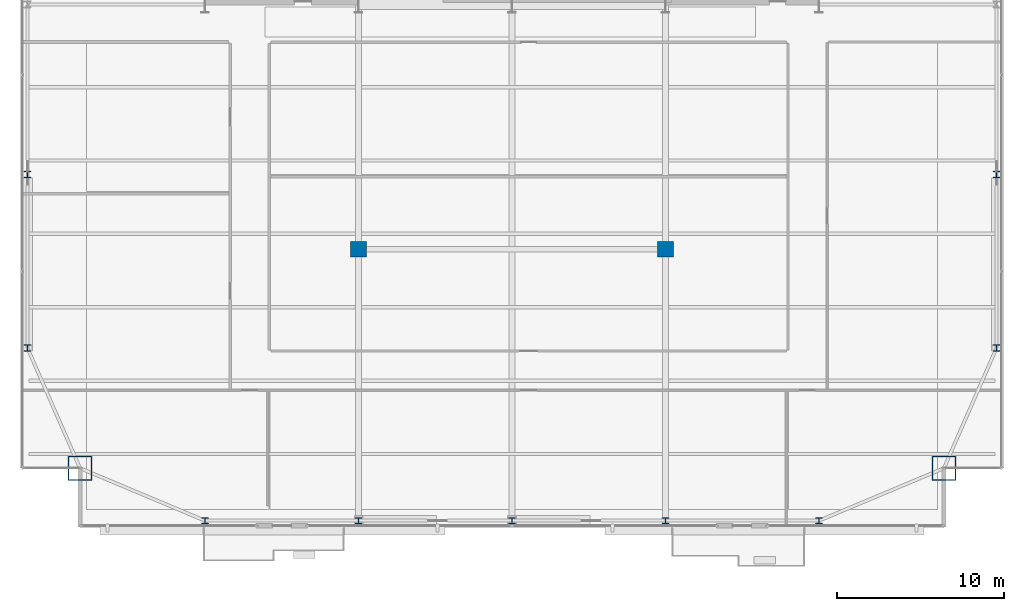
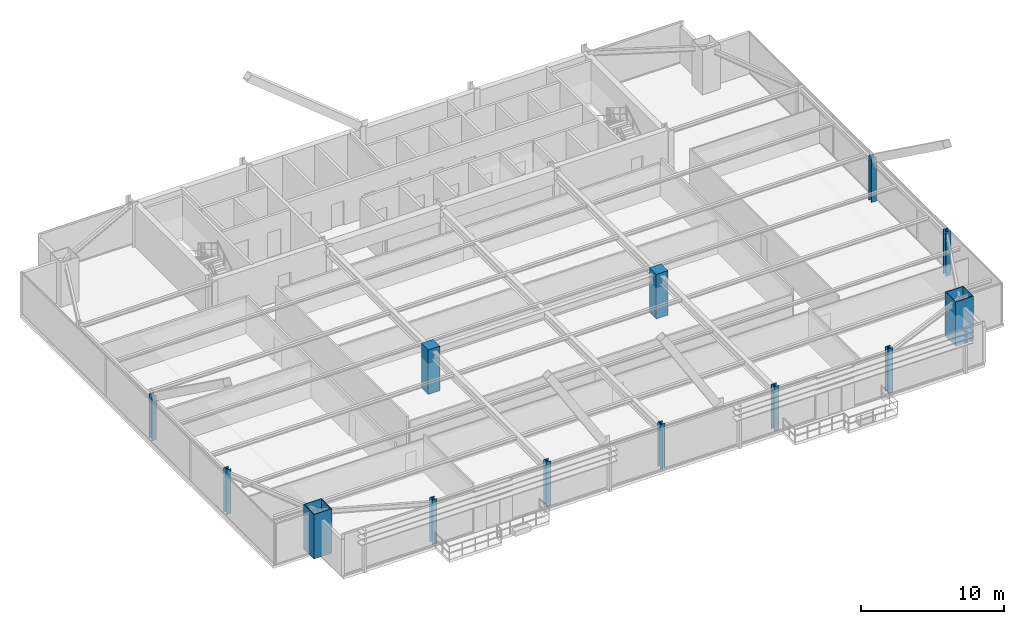
# One storey, part 1 of 37: 13 columns.
"""IFC4 building model written with IfcOpenShell, lengths in metres."""

from ifc_helpers import new_model, si_unit, direction, frame, origin, origin_2d, place, context, subcontext, project, spatial, rectangle, hollow_rectangle, i_section, extrude, source, transform, mapped, material, material_profile, profile_set, type_object, type_shapes, element, save


model = new_model("IFC4")

# Units and contexts
model_context = context("Model", 3, precision=1e-05, world=origin(), true_north=direction((0.0, 1.0)))
body_context = subcontext(model_context, "Body", "Model", "MODEL_VIEW")
ifc_project = project(units=[si_unit("LENGTHUNIT", "METRE"), si_unit("AREAUNIT", "SQUARE_METRE"), si_unit("VOLUMEUNIT", "CUBIC_METRE"), si_unit("PLANEANGLEUNIT", "RADIAN"), si_unit("MASSUNIT", "GRAM", prefix="KILO")], contexts=[model_context])

# Site, building, storey
site_placement = place(None, origin())
site = spatial("IfcSite", under=ifc_project, at=site_placement, CompositionType="ELEMENT")
building_placement = place(site_placement, origin())
building = spatial("IfcBuilding", under=site, at=building_placement, Name="Varnel Quay Broadcast Tower", CompositionType="ELEMENT")
storey_placement = place(building_placement, frame((0.0, 0.0, 106.800048828125)))
storey = spatial("IfcBuildingStorey", under=building, at=storey_placement, Name="L25", CompositionType="ELEMENT", Elevation=106.800048828125)

# Columns
ifc_material_1 = material(Name="Structural Steel CSA G40.21 350WT", Category="steel")
ifc_material_profile_1 = material_profile(ifc_material_1, hollow_rectangle(XDim=1.449951171875, YDim=1.449951171875, WallThickness=0.054931640625, at=origin_2d()), Name="BOX1450X1450X55")
ifc_profile_set_1 = profile_set([ifc_material_profile_1], Name="Structural Steel CSA G40.21 350WT")
column_type_1 = type_object("IfcColumnType", Name="Col_BOX1450X1450X55", PredefinedType="COLUMN", material=ifc_profile_set_1)
shared_shape_1 = source(origin(), body_context, "Body", "SweptSolid", [
    extrude(hollow_rectangle(XDim=1.449951171875, YDim=1.449951171875, WallThickness=0.054931640625, at=origin_2d()), origin(), (0.0, 0.0, 1.0), 3.800048828125),
])
type_shapes(column_type_1, [shared_shape_1])
for number, where, z_axis, x_axis, name in (
    (1, (8.10009765625, 7.800048828125, 0.0), (0.0, 0.0, 1.0), (1.0, 0.0, 0.0), "L25 Column MC-SW"),
    (2, (59.89990234375, 7.800048828125, 0.0), (0.0, 0.0, 1.0), (1.0, 0.0, 0.0), "L25 Column MC-SE"),
):
    element("IfcColumn", number, at=place(storey_placement, frame(where, z_axis=z_axis, x_axis=x_axis)), inside=storey, type_object=column_type_1, Name=name, PredefinedType="COLUMN", context=body_context, shape_type="MappedRepresentation", body=[
        mapped(shared_shape_1, transform((0.0, 0.0, 0.0), x_axis=(1.0, 0.0, 0.0), y_axis=(0.0, 1.0, 0.0), z_axis=(0.0, 0.0, 1.0), scale=1.0)),
    ])
ifc_material_2 = material(Name="Structural Steel CSA G40.21 350W", Category="steel")
ifc_material_profile_2 = material_profile(ifc_material_2, i_section(OverallWidth=0.39794921875, OverallDepth=0.386962890625, WebThickness=0.02099609375, FlangeThickness=0.033203125, FilletRadius=0.01806640625, at=origin_2d()), Name="W360X262")
ifc_profile_set_2 = profile_set([ifc_material_profile_2], Name="Structural Steel CSA G40.21 350W")
column_type_2 = type_object("IfcColumnType", Name="Col_W360X262", PredefinedType="COLUMN", material=ifc_profile_set_2)
shared_shape_2 = source(origin(), body_context, "Body", "SweptSolid", [
    extrude(i_section(OverallWidth=0.39794921875, OverallDepth=0.386962890625, WebThickness=0.02099609375, FlangeThickness=0.033203125, FilletRadius=0.01806640625, at=origin_2d()), origin(), (0.0, 0.0, 1.0), 3.800048828125),
])
type_shapes(column_type_2, [shared_shape_2])
for number, where, z_axis, x_axis, name in (
    (3, (15.60009765625, 4.64990234375, 0.0), (0.0, 0.0, 1.0), (1.0, 0.0, 0.0), "L25 Column TC-S1"),
    (4, (24.800048828125, 4.64990234375, 0.0), (0.0, 0.0, 1.0), (1.0, 0.0, 0.0), "L25 Column TC-S2"),
    (5, (34.0, 4.64990234375, 0.0), (0.0, 0.0, 1.0), (1.0, 0.0, 0.0), "L25 Column TC-S3"),
    (6, (43.199951171875, 4.64990234375, 0.0), (0.0, 0.0, 1.0), (1.0, 0.0, 0.0), "L25 Column TC-S4"),
    (7, (52.39990234375, 4.64990234375, 0.0), (0.0, 0.0, 1.0), (1.0, 0.0, 0.0), "L25 Column TC-S5"),
    (8, (4.949951171875, 15.0, 0.0), (0.0, 0.0, 1.0), (1.0, 0.0, 0.0), "L25 Column TC-W1"),
    (9, (63.050048828125, 15.0, 0.0), (0.0, 0.0, 1.0), (1.0, 0.0, 0.0), "L25 Column TC-E1"),
    (10, (4.949951171875, 25.39990234375, 0.0), (0.0, 0.0, 1.0), (1.0, 0.0, 0.0), "L25 Column TC-W2"),
    (11, (63.050048828125, 25.39990234375, 0.0), (0.0, 0.0, 1.0), (1.0, 0.0, 0.0), "L25 Column TC-E2"),
):
    element("IfcColumn", number, at=place(storey_placement, frame(where, z_axis=z_axis, x_axis=x_axis)), inside=storey, type_object=column_type_2, Name=name, PredefinedType="COLUMN", context=body_context, shape_type="MappedRepresentation", body=[
        mapped(shared_shape_2, transform((0.0, 0.0, 0.0), x_axis=(1.0, 0.0, 0.0), y_axis=(0.0, 1.0, 0.0), z_axis=(0.0, 0.0, 1.0), scale=1.0)),
    ])
ifc_material_3 = material(Name="Concrete CSA A23.3 C50/60", Category="concrete")
ifc_material_profile_3 = material_profile(ifc_material_3, rectangle(XDim=0.949951171875, YDim=0.949951171875, at=origin_2d()), Name="RC950X950")
ifc_profile_set_3 = profile_set([ifc_material_profile_3], Name="Concrete CSA A23.3 C50/60")
column_type_3 = type_object("IfcColumnType", Name="Col_RC950X950", PredefinedType="COLUMN", material=ifc_profile_set_3)
shared_shape_3 = source(origin(), body_context, "Body", "SweptSolid", [
    extrude(rectangle(XDim=0.949951171875, YDim=0.949951171875, at=origin_2d()), origin(), (0.0, 0.0, 1.0), 3.800048828125),
])
type_shapes(column_type_3, [shared_shape_3])
for number, where, z_axis, x_axis, name in (
    (12, (24.800048828125, 20.929931640625, 0.0), (0.0, 0.0, 1.0), (1.0, 0.0, 0.0), "L25 Column IC-01"),
    (13, (43.199951171875, 20.929931640625, 0.0), (0.0, 0.0, 1.0), (1.0, 0.0, 0.0), "L25 Column IC-02"),
):
    element("IfcColumn", number, at=place(storey_placement, frame(where, z_axis=z_axis, x_axis=x_axis)), inside=storey, type_object=column_type_3, Name=name, PredefinedType="COLUMN", context=body_context, shape_type="MappedRepresentation", body=[
        mapped(shared_shape_3, transform((0.0, 0.0, 0.0), x_axis=(1.0, 0.0, 0.0), y_axis=(0.0, 1.0, 0.0), z_axis=(0.0, 0.0, 1.0), scale=1.0)),
    ])

save(model, "model.ifc")
